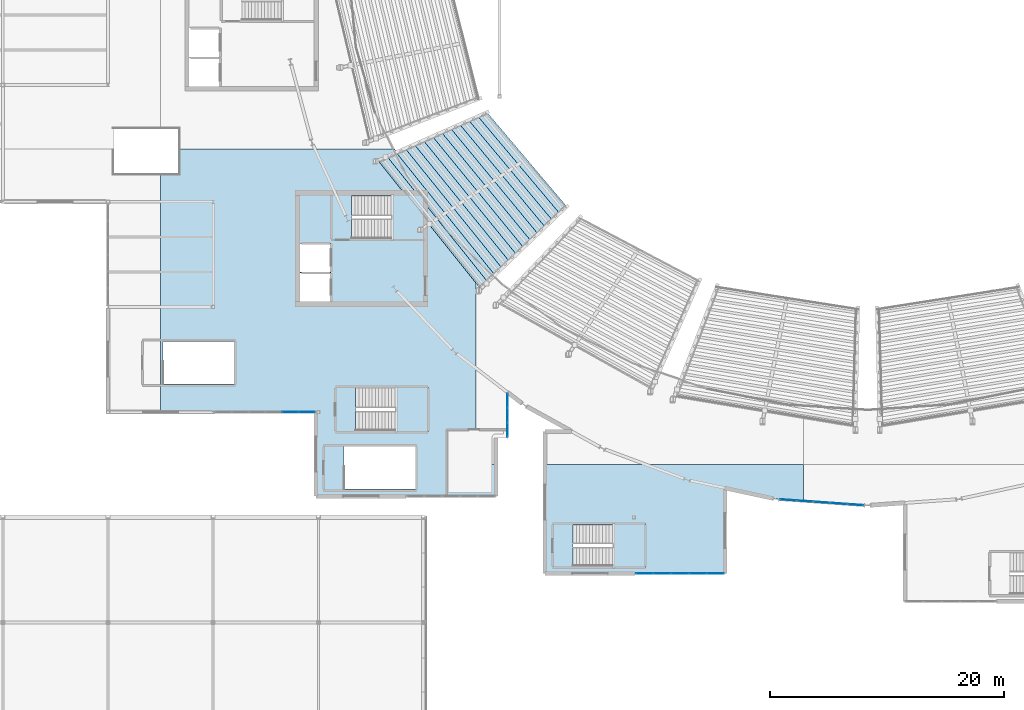
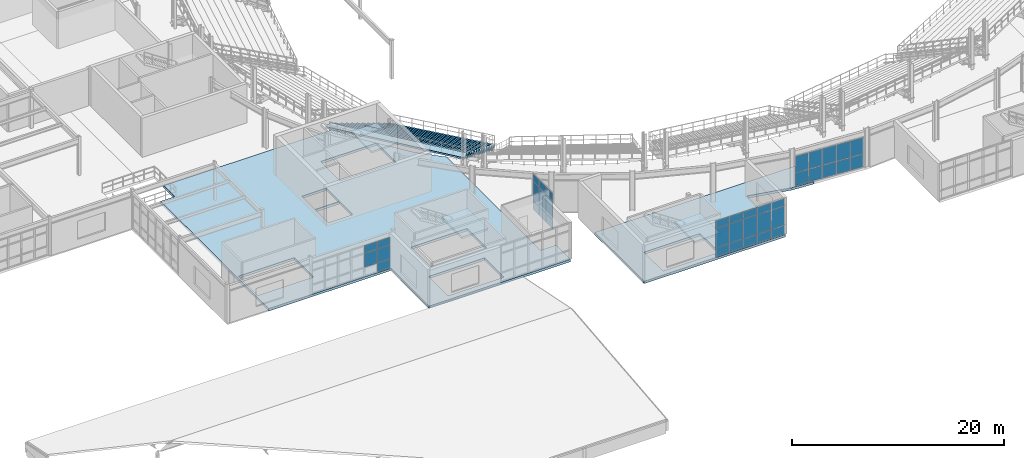
# One storey, part 44 of 81: 39 plates, 17 slabs, 7 elements without a shape of their own.
"""IFC4 building model written with IfcOpenShell, lengths in metres."""

from ifc_helpers import new_model, si_unit, direction, frame, origin, origin_2d, place, context, subcontext, project, spatial, polyline, rectangle, outline, extrude, material, layer, layer_set, type_object, element, aggregate, save


model = new_model("IFC4")

# Units and contexts
model_context = context("Model", 3, precision=1e-05, world=origin(), true_north=direction((0.0, 1.0)))
body_context = subcontext(model_context, "Body", "Model", "MODEL_VIEW")
ifc_project = project(units=[si_unit("LENGTHUNIT", "METRE"), si_unit("AREAUNIT", "SQUARE_METRE"), si_unit("VOLUMEUNIT", "CUBIC_METRE"), si_unit("PLANEANGLEUNIT", "RADIAN"), si_unit("MASSUNIT", "GRAM", prefix="KILO")], contexts=[model_context])

# Site, building, storey
site_placement = place(None, origin())
site = spatial("IfcSite", under=ifc_project, at=site_placement, CompositionType="ELEMENT")
building_placement = place(site_placement, origin())
building = spatial("IfcBuilding", under=site, at=building_placement, Name="Glasvene Arena", CompositionType="ELEMENT")
storey_placement = place(building_placement, frame((0.0, 0.0, 15.0)))
storey = spatial("IfcBuildingStorey", under=building, at=storey_placement, Name="L03", CompositionType="ELEMENT", Elevation=15.0)

# Curtain wall, plates
ifc_material_1 = material(Name="Low-emissivity laminated double glazing", Category="glass")
curtain_wall_type_1 = type_object("IfcCurtainWallType", Name="CW-FAC-L03-723x350", PredefinedType="USERDEFINED", material=ifc_material_1)
curtain_wall_1_placement = place(storey_placement, frame((91.696044921875, 28.021484375, 0.0)))
curtain_wall_1 = element("IfcCurtainWall", 1, at=curtain_wall_1_placement, inside=storey, type_object=curtain_wall_type_1, Name="Unitised curtain wall CW-F-L03-150-881-283-58", ObjectType="CURTAIN WALL", PredefinedType="USERDEFINED")
ifc_layer_1 = layer(ifc_material_1, 0.028076171875)
ifc_layer_set_1 = layer_set([ifc_layer_1], Name="Low-emissivity laminated double glazing")
plate_type = type_object("IfcPlateType", Name="CW-GLZ-28", PredefinedType="CURTAIN_PANEL", material=ifc_layer_set_1)
plate_1_placement = place(storey_placement, frame((90.96240234375, 28.073486328125, 0.10986328125), z_axis=(0.0, 0.0, 1.0), x_axis=(-0.997500992449, 0.070652459706, 0.0)))
plate_1 = element("IfcPlate", 2, at=plate_1_placement, type_object=plate_type, Name="CW-037 panel 1.1", PredefinedType="CURTAIN_PANEL", context=body_context, shape_type="SweptSolid", body=[
    extrude(rectangle(XDim=1.371337890625, YDim=0.028076171875, at=origin_2d()), origin(), (0.0, 0.0, 1.0), 1.468017578125),
])
plate_2_placement = place(storey_placement, frame((90.96240234375, 28.073486328125, 1.6279296875), z_axis=(0.0, 0.0, 1.0), x_axis=(-0.997500992449, 0.070652459706, 0.0)))
plate_2 = element("IfcPlate", 3, at=plate_2_placement, type_object=plate_type, Name="CW-037 panel 1.2", PredefinedType="CURTAIN_PANEL", context=body_context, shape_type="SweptSolid", body=[
    extrude(rectangle(XDim=1.371337890625, YDim=0.028076171875, at=origin_2d()), origin(), (0.0, 0.0, 1.0), 1.884033203125),
])
plate_3_placement = place(storey_placement, frame((89.5322265625, 28.1748046875, 0.10986328125), z_axis=(0.0, 0.0, 1.0), x_axis=(-0.997500992449, 0.070652459706, 0.0)))
plate_3 = element("IfcPlate", 4, at=plate_3_placement, type_object=plate_type, Name="CW-037 panel 2.1", PredefinedType="CURTAIN_PANEL", context=body_context, shape_type="SweptSolid", body=[
    extrude(rectangle(XDim=1.396240234375, YDim=0.028076171875, at=origin_2d()), origin(), (0.0, 0.0, 1.0), 1.468017578125),
])
plate_4_placement = place(storey_placement, frame((89.5322265625, 28.1748046875, 1.6279296875), z_axis=(0.0, 0.0, 1.0), x_axis=(-0.997500992449, 0.070652459706, 0.0)))
plate_4 = element("IfcPlate", 5, at=plate_4_placement, type_object=plate_type, Name="CW-037 panel 2.2", PredefinedType="CURTAIN_PANEL", context=body_context, shape_type="SweptSolid", body=[
    extrude(rectangle(XDim=1.396240234375, YDim=0.028076171875, at=origin_2d()), origin(), (0.0, 0.0, 1.0), 1.884033203125),
])
plate_5_placement = place(storey_placement, frame((88.089599609375, 28.27685546875, 0.10986328125), z_axis=(0.0, 0.0, 1.0), x_axis=(-0.997500992449, 0.070652459706, 0.0)))
plate_5 = element("IfcPlate", 6, at=plate_5_placement, type_object=plate_type, Name="CW-037 panel 3.1", PredefinedType="CURTAIN_PANEL", context=body_context, shape_type="SweptSolid", body=[
    extrude(rectangle(XDim=1.396240234375, YDim=0.028076171875, at=origin_2d()), origin(), (0.0, 0.0, 1.0), 1.468017578125),
])
plate_6_placement = place(storey_placement, frame((88.089599609375, 28.27685546875, 1.6279296875), z_axis=(0.0, 0.0, 1.0), x_axis=(-0.997500992449, 0.070652459706, 0.0)))
plate_6 = element("IfcPlate", 7, at=plate_6_placement, type_object=plate_type, Name="CW-037 panel 3.2", PredefinedType="CURTAIN_PANEL", context=body_context, shape_type="SweptSolid", body=[
    extrude(rectangle(XDim=1.396240234375, YDim=0.028076171875, at=origin_2d()), origin(), (0.0, 0.0, 1.0), 1.884033203125),
])
plate_7_placement = place(storey_placement, frame((86.64697265625, 28.379150390625, 0.10986328125), z_axis=(0.0, 0.0, 1.0), x_axis=(-0.997500992449, 0.070652459706, 0.0)))
plate_7 = element("IfcPlate", 8, at=plate_7_placement, type_object=plate_type, Name="CW-037 panel 4.1", PredefinedType="CURTAIN_PANEL", context=body_context, shape_type="SweptSolid", body=[
    extrude(rectangle(XDim=1.396240234375, YDim=0.028076171875, at=origin_2d()), origin(), (0.0, 0.0, 1.0), 1.468017578125),
])
plate_8_placement = place(storey_placement, frame((86.64697265625, 28.379150390625, 1.6279296875), z_axis=(0.0, 0.0, 1.0), x_axis=(-0.997500992449, 0.070652459706, 0.0)))
plate_8 = element("IfcPlate", 9, at=plate_8_placement, type_object=plate_type, Name="CW-037 panel 4.2", PredefinedType="CURTAIN_PANEL", context=body_context, shape_type="SweptSolid", body=[
    extrude(rectangle(XDim=1.396240234375, YDim=0.028076171875, at=origin_2d()), origin(), (0.0, 0.0, 1.0), 1.884033203125),
])
plate_9_placement = place(storey_placement, frame((85.216796875, 28.48046875, 0.10986328125), z_axis=(0.0, 0.0, 1.0), x_axis=(-0.997500992449, 0.070652459706, 0.0)))
plate_9 = element("IfcPlate", 10, at=plate_9_placement, type_object=plate_type, Name="CW-037 panel 5.1", PredefinedType="CURTAIN_PANEL", context=body_context, shape_type="SweptSolid", body=[
    extrude(rectangle(XDim=1.371337890625, YDim=0.028076171875, at=origin_2d()), origin(), (0.0, 0.0, 1.0), 1.468017578125),
])
plate_10_placement = place(storey_placement, frame((85.216796875, 28.48046875, 1.6279296875), z_axis=(0.0, 0.0, 1.0), x_axis=(-0.997500992449, 0.070652459706, 0.0)))
plate_10 = element("IfcPlate", 11, at=plate_10_placement, type_object=plate_type, Name="CW-037 panel 5.2", PredefinedType="CURTAIN_PANEL", context=body_context, shape_type="SweptSolid", body=[
    extrude(rectangle(XDim=1.371337890625, YDim=0.028076171875, at=origin_2d()), origin(), (0.0, 0.0, 1.0), 1.884033203125),
])
aggregate(curtain_wall_1, [plate_1, plate_2, plate_3, plate_4, plate_5, plate_6, plate_7, plate_8, plate_9, plate_10])

curtain_wall_type_2 = type_object("IfcCurtainWallType", Name="CW-FAC-L03-762x419", PredefinedType="USERDEFINED", material=ifc_material_1)
curtain_wall_2_placement = place(storey_placement, frame((79.760009765625, 22.199951171875, 0.0)))
curtain_wall_2 = element("IfcCurtainWall", 12, at=curtain_wall_2_placement, inside=storey, type_object=curtain_wall_type_2, Name="Unitised curtain wall CW-F-L03-180-759-222-61", ObjectType="CURTAIN WALL", PredefinedType="USERDEFINED")
plate_11_placement = place(storey_placement, frame((78.985595703125, 22.199951171875, 0.10986328125), z_axis=(0.0, 0.0, 1.0), x_axis=(-1.0, 0.0, 0.0)))
plate_11 = element("IfcPlate", 13, at=plate_11_placement, type_object=plate_type, Name="CW-043 panel 1.1", PredefinedType="CURTAIN_PANEL", context=body_context, shape_type="SweptSolid", body=[
    extrude(rectangle(XDim=1.448974609375, YDim=0.028076171875, at=origin_2d()), origin(), (0.0, 0.0, 1.0), 0.965087890625),
])
plate_12_placement = place(storey_placement, frame((78.985595703125, 22.199951171875, 1.125), z_axis=(0.0, 0.0, 1.0), x_axis=(-1.0, 0.0, 0.0)))
plate_12 = element("IfcPlate", 14, at=plate_12_placement, type_object=plate_type, Name="CW-043 panel 1.2", PredefinedType="CURTAIN_PANEL", context=body_context, shape_type="SweptSolid", body=[
    extrude(rectangle(XDim=1.448974609375, YDim=0.028076171875, at=origin_2d()), origin(), (0.0, 0.0, 1.0), 2.199951171875),
])
plate_13_placement = place(storey_placement, frame((78.985595703125, 22.199951171875, 3.375), z_axis=(0.0, 0.0, 1.0), x_axis=(-1.0, 0.0, 0.0)))
plate_13 = element("IfcPlate", 15, at=plate_13_placement, type_object=plate_type, Name="CW-043 panel 1.3", PredefinedType="CURTAIN_PANEL", context=body_context, shape_type="SweptSolid", body=[
    extrude(rectangle(XDim=1.448974609375, YDim=0.028076171875, at=origin_2d()), origin(), (0.0, 0.0, 1.0), 0.824951171875),
])
plate_14_placement = place(storey_placement, frame((77.47412109375, 22.199951171875, 0.10986328125), z_axis=(0.0, 0.0, 1.0), x_axis=(-1.0, 0.0, 0.0)))
plate_14 = element("IfcPlate", 16, at=plate_14_placement, type_object=plate_type, Name="CW-043 panel 2.1", PredefinedType="CURTAIN_PANEL", context=body_context, shape_type="SweptSolid", body=[
    extrude(rectangle(XDim=1.47412109375, YDim=0.028076171875, at=origin_2d()), origin(), (0.0, 0.0, 1.0), 0.965087890625),
])
plate_15_placement = place(storey_placement, frame((77.47412109375, 22.199951171875, 1.125), z_axis=(0.0, 0.0, 1.0), x_axis=(-1.0, 0.0, 0.0)))
plate_15 = element("IfcPlate", 17, at=plate_15_placement, type_object=plate_type, Name="CW-043 panel 2.2", PredefinedType="CURTAIN_PANEL", context=body_context, shape_type="SweptSolid", body=[
    extrude(rectangle(XDim=1.47412109375, YDim=0.028076171875, at=origin_2d()), origin(), (0.0, 0.0, 1.0), 2.199951171875),
])
plate_16_placement = place(storey_placement, frame((77.47412109375, 22.199951171875, 3.375), z_axis=(0.0, 0.0, 1.0), x_axis=(-1.0, 0.0, 0.0)))
plate_16 = element("IfcPlate", 18, at=plate_16_placement, type_object=plate_type, Name="CW-043 panel 2.3", PredefinedType="CURTAIN_PANEL", context=body_context, shape_type="SweptSolid", body=[
    extrude(rectangle(XDim=1.47412109375, YDim=0.028076171875, at=origin_2d()), origin(), (0.0, 0.0, 1.0), 0.824951171875),
])
plate_17_placement = place(storey_placement, frame((75.949951171875, 22.199951171875, 0.10986328125), z_axis=(0.0, 0.0, 1.0), x_axis=(-1.0, 0.0, 0.0)))
plate_17 = element("IfcPlate", 19, at=plate_17_placement, type_object=plate_type, Name="CW-043 panel 3.1", PredefinedType="CURTAIN_PANEL", context=body_context, shape_type="SweptSolid", body=[
    extrude(rectangle(XDim=1.47412109375, YDim=0.028076171875, at=origin_2d()), origin(), (0.0, 0.0, 1.0), 0.965087890625),
])
plate_18_placement = place(storey_placement, frame((75.949951171875, 22.199951171875, 1.125), z_axis=(0.0, 0.0, 1.0), x_axis=(-1.0, 0.0, 0.0)))
plate_18 = element("IfcPlate", 20, at=plate_18_placement, type_object=plate_type, Name="CW-043 panel 3.2", PredefinedType="CURTAIN_PANEL", context=body_context, shape_type="SweptSolid", body=[
    extrude(rectangle(XDim=1.47412109375, YDim=0.028076171875, at=origin_2d()), origin(), (0.0, 0.0, 1.0), 2.199951171875),
])
plate_19_placement = place(storey_placement, frame((75.949951171875, 22.199951171875, 3.375), z_axis=(0.0, 0.0, 1.0), x_axis=(-1.0, 0.0, 0.0)))
plate_19 = element("IfcPlate", 21, at=plate_19_placement, type_object=plate_type, Name="CW-043 panel 3.3", PredefinedType="CURTAIN_PANEL", context=body_context, shape_type="SweptSolid", body=[
    extrude(rectangle(XDim=1.47412109375, YDim=0.028076171875, at=origin_2d()), origin(), (0.0, 0.0, 1.0), 0.824951171875),
])
plate_20_placement = place(storey_placement, frame((74.426025390625, 22.199951171875, 0.10986328125), z_axis=(0.0, 0.0, 1.0), x_axis=(-1.0, 0.0, 0.0)))
plate_20 = element("IfcPlate", 22, at=plate_20_placement, type_object=plate_type, Name="CW-043 panel 4.1", PredefinedType="CURTAIN_PANEL", context=body_context, shape_type="SweptSolid", body=[
    extrude(rectangle(XDim=1.47412109375, YDim=0.028076171875, at=origin_2d()), origin(), (0.0, 0.0, 1.0), 0.965087890625),
])
plate_21_placement = place(storey_placement, frame((74.426025390625, 22.199951171875, 1.125), z_axis=(0.0, 0.0, 1.0), x_axis=(-1.0, 0.0, 0.0)))
plate_21 = element("IfcPlate", 23, at=plate_21_placement, type_object=plate_type, Name="CW-043 panel 4.2", PredefinedType="CURTAIN_PANEL", context=body_context, shape_type="SweptSolid", body=[
    extrude(rectangle(XDim=1.47412109375, YDim=0.028076171875, at=origin_2d()), origin(), (0.0, 0.0, 1.0), 2.199951171875),
])
plate_22_placement = place(storey_placement, frame((74.426025390625, 22.199951171875, 3.375), z_axis=(0.0, 0.0, 1.0), x_axis=(-1.0, 0.0, 0.0)))
plate_22 = element("IfcPlate", 24, at=plate_22_placement, type_object=plate_type, Name="CW-043 panel 4.3", PredefinedType="CURTAIN_PANEL", context=body_context, shape_type="SweptSolid", body=[
    extrude(rectangle(XDim=1.47412109375, YDim=0.028076171875, at=origin_2d()), origin(), (0.0, 0.0, 1.0), 0.824951171875),
])
plate_23_placement = place(storey_placement, frame((72.91455078125, 22.199951171875, 0.10986328125), z_axis=(0.0, 0.0, 1.0), x_axis=(-1.0, 0.0, 0.0)))
plate_23 = element("IfcPlate", 25, at=plate_23_placement, type_object=plate_type, Name="CW-043 panel 5.1", PredefinedType="CURTAIN_PANEL", context=body_context, shape_type="SweptSolid", body=[
    extrude(rectangle(XDim=1.448974609375, YDim=0.028076171875, at=origin_2d()), origin(), (0.0, 0.0, 1.0), 0.965087890625),
])
plate_24_placement = place(storey_placement, frame((72.91455078125, 22.199951171875, 1.125), z_axis=(0.0, 0.0, 1.0), x_axis=(-1.0, 0.0, 0.0)))
plate_24 = element("IfcPlate", 26, at=plate_24_placement, type_object=plate_type, Name="CW-043 panel 5.2", PredefinedType="CURTAIN_PANEL", context=body_context, shape_type="SweptSolid", body=[
    extrude(rectangle(XDim=1.448974609375, YDim=0.028076171875, at=origin_2d()), origin(), (0.0, 0.0, 1.0), 2.199951171875),
])
plate_25_placement = place(storey_placement, frame((72.91455078125, 22.199951171875, 3.375), z_axis=(0.0, 0.0, 1.0), x_axis=(-1.0, 0.0, 0.0)))
plate_25 = element("IfcPlate", 27, at=plate_25_placement, type_object=plate_type, Name="CW-043 panel 5.3", PredefinedType="CURTAIN_PANEL", context=body_context, shape_type="SweptSolid", body=[
    extrude(rectangle(XDim=1.448974609375, YDim=0.028076171875, at=origin_2d()), origin(), (0.0, 0.0, 1.0), 0.824951171875),
])
aggregate(curtain_wall_2, [plate_11, plate_12, plate_13, plate_14, plate_15, plate_16, plate_17, plate_18, plate_19, plate_20, plate_21, plate_22, plate_23, plate_24, plate_25])

curtain_wall_type_3 = type_object("IfcCurtainWallType", Name="CW-FAC-L03-380x419", PredefinedType="USERDEFINED", material=ifc_material_1)
curtain_wall_3_placement = place(storey_placement, frame((61.199951171875, 37.638671875, 0.0)))
curtain_wall_3 = element("IfcCurtainWall", 28, at=curtain_wall_3_placement, inside=storey, type_object=curtain_wall_type_3, Name="Unitised curtain wall CW-F-L03-180-612-357-67", ObjectType="CURTAIN WALL", PredefinedType="USERDEFINED")
plate_26_placement = place(storey_placement, frame((61.199951171875, 36.992919921875, 0.10986328125), z_axis=(0.0, 0.0, 1.0), x_axis=(0.0, -1.0, 0.0)))
plate_26 = element("IfcPlate", 29, at=plate_26_placement, type_object=plate_type, Name="CW-044 panel 1.1", PredefinedType="CURTAIN_PANEL", context=body_context, shape_type="SweptSolid", body=[
    extrude(rectangle(XDim=1.191162109375, YDim=0.028076171875, at=origin_2d()), origin(), (0.0, 0.0, 1.0), 0.965087890625),
])
plate_27_placement = place(storey_placement, frame((61.199951171875, 36.992919921875, 1.125), z_axis=(0.0, 0.0, 1.0), x_axis=(0.0, -1.0, 0.0)))
plate_27 = element("IfcPlate", 30, at=plate_27_placement, type_object=plate_type, Name="CW-044 panel 1.2", PredefinedType="CURTAIN_PANEL", context=body_context, shape_type="SweptSolid", body=[
    extrude(rectangle(XDim=1.191162109375, YDim=0.028076171875, at=origin_2d()), origin(), (0.0, 0.0, 1.0), 2.199951171875),
])
plate_28_placement = place(storey_placement, frame((61.199951171875, 36.992919921875, 3.375), z_axis=(0.0, 0.0, 1.0), x_axis=(0.0, -1.0, 0.0)))
plate_28 = element("IfcPlate", 31, at=plate_28_placement, type_object=plate_type, Name="CW-044 panel 1.3", PredefinedType="CURTAIN_PANEL", context=body_context, shape_type="SweptSolid", body=[
    extrude(rectangle(XDim=1.191162109375, YDim=0.028076171875, at=origin_2d()), origin(), (0.0, 0.0, 1.0), 0.824951171875),
])
plate_29_placement = place(storey_placement, frame((61.199951171875, 35.7392578125, 0.10986328125), z_axis=(0.0, 0.0, 1.0), x_axis=(0.0, -1.0, 0.0)))
plate_29 = element("IfcPlate", 32, at=plate_29_placement, type_object=plate_type, Name="CW-044 panel 2.1", PredefinedType="CURTAIN_PANEL", context=body_context, shape_type="SweptSolid", body=[
    extrude(rectangle(XDim=1.21630859375, YDim=0.028076171875, at=origin_2d()), origin(), (0.0, 0.0, 1.0), 0.965087890625),
])
plate_30_placement = place(storey_placement, frame((61.199951171875, 35.7392578125, 1.125), z_axis=(0.0, 0.0, 1.0), x_axis=(0.0, -1.0, 0.0)))
plate_30 = element("IfcPlate", 33, at=plate_30_placement, type_object=plate_type, Name="CW-044 panel 2.2", PredefinedType="CURTAIN_PANEL", context=body_context, shape_type="SweptSolid", body=[
    extrude(rectangle(XDim=1.21630859375, YDim=0.028076171875, at=origin_2d()), origin(), (0.0, 0.0, 1.0), 2.199951171875),
])
plate_31_placement = place(storey_placement, frame((61.199951171875, 35.7392578125, 3.375), z_axis=(0.0, 0.0, 1.0), x_axis=(0.0, -1.0, 0.0)))
plate_31 = element("IfcPlate", 34, at=plate_31_placement, type_object=plate_type, Name="CW-044 panel 2.3", PredefinedType="CURTAIN_PANEL", context=body_context, shape_type="SweptSolid", body=[
    extrude(rectangle(XDim=1.21630859375, YDim=0.028076171875, at=origin_2d()), origin(), (0.0, 0.0, 1.0), 0.824951171875),
])
plate_32_placement = place(storey_placement, frame((61.199951171875, 34.485595703125, 0.10986328125), z_axis=(0.0, 0.0, 1.0), x_axis=(0.0, -1.0, 0.0)))
plate_32 = element("IfcPlate", 35, at=plate_32_placement, type_object=plate_type, Name="CW-044 panel 3.1", PredefinedType="CURTAIN_PANEL", context=body_context, shape_type="SweptSolid", body=[
    extrude(rectangle(XDim=1.191162109375, YDim=0.028076171875, at=origin_2d()), origin(), (0.0, 0.0, 1.0), 0.965087890625),
])
plate_33_placement = place(storey_placement, frame((61.199951171875, 34.485595703125, 1.125), z_axis=(0.0, 0.0, 1.0), x_axis=(0.0, -1.0, 0.0)))
plate_33 = element("IfcPlate", 36, at=plate_33_placement, type_object=plate_type, Name="CW-044 panel 3.2", PredefinedType="CURTAIN_PANEL", context=body_context, shape_type="SweptSolid", body=[
    extrude(rectangle(XDim=1.191162109375, YDim=0.028076171875, at=origin_2d()), origin(), (0.0, 0.0, 1.0), 2.199951171875),
])
plate_34_placement = place(storey_placement, frame((61.199951171875, 34.485595703125, 3.375), z_axis=(0.0, 0.0, 1.0), x_axis=(0.0, -1.0, 0.0)))
plate_34 = element("IfcPlate", 37, at=plate_34_placement, type_object=plate_type, Name="CW-044 panel 3.3", PredefinedType="CURTAIN_PANEL", context=body_context, shape_type="SweptSolid", body=[
    extrude(rectangle(XDim=1.191162109375, YDim=0.028076171875, at=origin_2d()), origin(), (0.0, 0.0, 1.0), 0.824951171875),
])
aggregate(curtain_wall_3, [plate_26, plate_27, plate_28, plate_29, plate_30, plate_31, plate_32, plate_33, plate_34])

curtain_wall_type_4 = type_object("IfcCurtainWallType", Name="CW-FAC-L03-859x358", PredefinedType="USERDEFINED", material=ifc_material_1)
curtain_wall_4_placement = place(storey_placement, frame((44.760009765625, 36.0, 0.0)))
curtain_wall_4 = element("IfcCurtainWall", 38, at=curtain_wall_4_placement, inside=storey, type_object=curtain_wall_type_4, Name="Unitised curtain wall CW-F-L03-150-405-360-73", ObjectType="CURTAIN WALL", PredefinedType="USERDEFINED")
plate_35_placement = place(storey_placement, frame((44.03173828125, 36.0, 0.10986328125), z_axis=(0.0, 0.0, 1.0), x_axis=(-1.0, 0.0, 0.0)))
plate_35 = element("IfcPlate", 39, at=plate_35_placement, type_object=plate_type, Name="CW-045 panel 1.1", PredefinedType="CURTAIN_PANEL", context=body_context, shape_type="SweptSolid", body=[
    extrude(rectangle(XDim=1.356689453125, YDim=0.028076171875, at=origin_2d()), origin(), (0.0, 0.0, 1.0), 0.965087890625),
])
plate_36_placement = place(storey_placement, frame((44.03173828125, 36.0, 1.125), z_axis=(0.0, 0.0, 1.0), x_axis=(-1.0, 0.0, 0.0)))
plate_36 = element("IfcPlate", 40, at=plate_36_placement, type_object=plate_type, Name="CW-045 panel 1.2", PredefinedType="CURTAIN_PANEL", context=body_context, shape_type="SweptSolid", body=[
    extrude(rectangle(XDim=1.356689453125, YDim=0.028076171875, at=origin_2d()), origin(), (0.0, 0.0, 1.0), 1.5869140625),
])
plate_37_placement = place(storey_placement, frame((44.03173828125, 36.0, 2.76220703125), z_axis=(0.0, 0.0, 1.0), x_axis=(-1.0, 0.0, 0.0)))
plate_37 = element("IfcPlate", 41, at=plate_37_placement, type_object=plate_type, Name="CW-045 panel 1.3", PredefinedType="CURTAIN_PANEL", context=body_context, shape_type="SweptSolid", body=[
    extrude(rectangle(XDim=1.356689453125, YDim=0.028076171875, at=origin_2d()), origin(), (0.0, 0.0, 1.0), 0.824951171875),
])
plate_38_placement = place(storey_placement, frame((42.612548828125, 36.0, 1.125), z_axis=(0.0, 0.0, 1.0), x_axis=(-1.0, 0.0, 0.0)))
plate_38 = element("IfcPlate", 42, at=plate_38_placement, type_object=plate_type, Name="CW-045 panel 2.2", PredefinedType="CURTAIN_PANEL", context=body_context, shape_type="SweptSolid", body=[
    extrude(rectangle(XDim=1.381591796875, YDim=0.028076171875, at=origin_2d()), origin(), (0.0, 0.0, 1.0), 1.5869140625),
])
plate_39_placement = place(storey_placement, frame((42.612548828125, 36.0, 2.76220703125), z_axis=(0.0, 0.0, 1.0), x_axis=(-1.0, 0.0, 0.0)))
plate_39 = element("IfcPlate", 43, at=plate_39_placement, type_object=plate_type, Name="CW-045 panel 2.3", PredefinedType="CURTAIN_PANEL", context=body_context, shape_type="SweptSolid", body=[
    extrude(rectangle(XDim=1.381591796875, YDim=0.028076171875, at=origin_2d()), origin(), (0.0, 0.0, 1.0), 0.824951171875),
])
aggregate(curtain_wall_4, [plate_35, plate_36, plate_37, plate_38, plate_39])

# Slabs
ifc_material_2 = material(Name="Concrete C40/50", Category="concrete")
ifc_layer_2 = layer(ifc_material_2, 0.280029296875)
ifc_layer_set_2 = layer_set([ifc_layer_2], Name="Concrete C40/50")
slab_type_1 = type_object("IfcSlabType", Name="SL-CONC-280", PredefinedType="FLOOR", material=ifc_layer_set_2)
slab_1_placement = place(storey_placement, frame((77.939697265625, 27.69189453125, -0.280029296875)))
element("IfcSlab", 44, at=slab_1_placement, inside=storey, type_object=slab_type_1, Name="Structural floor slab L03 sector 1-3 (84)", PredefinedType="FLOOR", context=body_context, shape_type="SweptSolid", body=[
    extrude(outline(polyline([(1.8603515625, 1.80810546875), (1.8603515625, -5.491943359375), (-13.539794921875, -5.491943359375), (-13.539794921875, 3.80810546875), (8.560302734375, 3.80810546875), (8.560302734375, 0.69775390625), (6.238525390625, 0.862060546875), (1.8603515625, 1.80810546875)]), holes=[polyline([(-5.039794921875, -4.891845703125), (-5.039794921875, -1.341796875), (-11.1376953125, -1.341796875), (-11.1376953125, -4.891845703125), (-5.039794921875, -4.891845703125)])]), origin(), (0.0, 0.0, 1.0), 0.280029296875),
])
slab_2_placement = place(storey_placement, frame((47.42138671875, 44.569091796875, -0.280029296875)))
element("IfcSlab", 45, at=slab_2_placement, inside=storey, type_object=slab_type_1, Name="Structural floor slab L03 sector 2-2 (87)", PredefinedType="FLOOR", context=body_context, shape_type="SweptSolid", body=[
    extrude(outline(polyline([(-2.621337890625, -15.76904296875), (-2.621337890625, -8.569091796875), (-15.92138671875, -8.569091796875), (-15.92138671875, 11.830810546875), (-14.38134765625, 11.830810546875), (-14.38134765625, 13.930908203125), (4.117919921875, 13.930908203125), (5.196044921875, 11.769287109375), (8.820068359375, 6.859130859375), (11.07861328125, 4.66357421875), (11.07861328125, -13.069091796875), (12.778564453125, -13.069091796875), (12.778564453125, -15.76904296875), (-2.621337890625, -15.76904296875)]), holes=[polyline([(5.878662109375, -11.51904296875), (-0.219482421875, -11.51904296875), (-0.219482421875, -15.169189453125), (5.878662109375, -15.169189453125), (5.878662109375, -11.51904296875)]), polyline([(-9.621337890625, -6.169189453125), (-9.621337890625, -2.51904296875), (-15.719482421875, -2.51904296875), (-15.719482421875, -6.169189453125), (-9.621337890625, -6.169189453125)]), polyline([(-1.3212890625, 0.880859375), (-1.3212890625, 3.330810546875), (-3.971435546875, 3.330810546875), (-3.971435546875, 0.880859375), (-1.3212890625, 0.880859375)]), polyline([(-1.3212890625, 3.430908203125), (-1.3212890625, 5.880859375), (-3.971435546875, 5.880859375), (-3.971435546875, 3.430908203125), (-1.3212890625, 3.430908203125)]), polyline([(6.878662109375, -10.169189453125), (6.878662109375, -6.51904296875), (0.780517578125, -6.51904296875), (0.780517578125, -10.169189453125), (6.878662109375, -10.169189453125)]), polyline([(6.528564453125, 6.281005859375), (6.528564453125, 9.930908203125), (0.4306640625, 9.930908203125), (0.4306640625, 6.281005859375), (6.528564453125, 6.281005859375)])]), origin(), (0.0, 0.0, 1.0), 0.280029296875),
])

# Stair, slab
stair_type_1 = type_object("IfcStairType", Name="ST-HT-450-170", PredefinedType="HALF_TURN_STAIR", material=ifc_material_2)
stair_1_placement = place(storey_placement, origin())
stair_1 = element("IfcStair", 46, at=stair_1_placement, inside=storey, type_object=stair_type_1, Name="Protected escape stair ST-03 (L03 to L04)", PredefinedType="HALF_TURN_STAIR")
ifc_layer_3 = layer(ifc_material_2, 0.219970703125)
ifc_layer_set_3 = layer_set([ifc_layer_3], Name="Concrete C40/50")
slab_type_2 = type_object("IfcSlabType", Name="SL-LAND-220", PredefinedType="LANDING", material=ifc_layer_set_3)
slab_3_placement = place(storey_placement, frame((52.6298828125, 52.675048828125, 2.030029296875)))
slab_3 = element("IfcSlab", 47, at=slab_3_placement, type_object=slab_type_2, Name="Protected escape stair ST-03 (L03 to L04) landing 1", PredefinedType="LANDING", context=body_context, shape_type="SweptSolid", body=[
    extrude(outline(polyline([(-1.419921875, -1.925048828125), (1.420166015625, -1.925048828125), (1.420166015625, 1.925048828125), (-1.419921875, 1.925048828125), (-1.419921875, -1.925048828125)])), origin(), (0.0, 0.0, 1.0), 0.219970703125),
])
aggregate(stair_1, [slab_3])

stair_2_placement = place(storey_placement, origin())
stair_2 = element("IfcStair", 48, at=stair_2_placement, inside=storey, type_object=stair_type_1, Name="Protected escape stair ST-05 (L03 to L04)", PredefinedType="HALF_TURN_STAIR")
slab_4_placement = place(storey_placement, frame((52.97998046875, 36.22509765625, 2.030029296875)))
slab_4 = element("IfcSlab", 49, at=slab_4_placement, type_object=slab_type_2, Name="Protected escape stair ST-05 (L03 to L04) landing 1", PredefinedType="LANDING", context=body_context, shape_type="SweptSolid", body=[
    extrude(outline(polyline([(-1.419921875, -1.925048828125), (1.419921875, -1.925048828125), (1.419921875, 1.9248046875), (-1.419921875, 1.9248046875), (-1.419921875, -1.925048828125)])), origin(), (0.0, 0.0, 1.0), 0.219970703125),
])
aggregate(stair_2, [slab_4])

stair_type_2 = type_object("IfcStairType", Name="ST-HT-450-165", PredefinedType="HALF_TURN_STAIR", material=ifc_material_2)
stair_3_placement = place(storey_placement, origin())
stair_3 = element("IfcStair", 50, at=stair_3_placement, inside=storey, type_object=stair_type_2, Name="Protected escape stair ST-08 (L03 to L04)", PredefinedType="HALF_TURN_STAIR")
slab_5_placement = place(storey_placement, frame((71.580078125, 24.574951171875, 2.030029296875)))
slab_5 = element("IfcSlab", 51, at=slab_5_placement, type_object=slab_type_2, Name="Protected escape stair ST-08 (L03 to L04) landing 1", PredefinedType="LANDING", context=body_context, shape_type="SweptSolid", body=[
    extrude(outline(polyline([(-1.420166015625, -1.875), (1.419921875, -1.875), (1.419921875, 1.875), (-1.420166015625, 1.875), (-1.420166015625, -1.875)])), origin(), (0.0, 0.0, 1.0), 0.219970703125),
])
aggregate(stair_3, [slab_5])

# Slabs
ifc_material_3 = material(Name="Precast concrete C50/60", Category="concrete")
ifc_layer_4 = layer(ifc_material_3, 0.199951171875)
ifc_layer_set_4 = layer_set([ifc_layer_4], Name="Precast concrete C50/60")
slab_type_3 = type_object("IfcSlabType", Name="SL-TIER-UP", PredefinedType="USERDEFINED", material=ifc_layer_set_4)
slab_6_placement = place(storey_placement, frame((62.496826171875, 57.390869140625, -4.10009765625)))
element("IfcSlab", 52, at=slab_6_placement, inside=storey, type_object=slab_type_3, Name="Stand upper tier sector 10 row 01", ObjectType="SEATING TIER", PredefinedType="USERDEFINED", context=body_context, shape_type="SweptSolid", body=[
    extrude(outline(polyline([(-3.0693359375, 4.26953125), (3.765625, -3.8046875), (3.15087890625, -4.391845703125), (-3.84716796875, 3.926513671875), (-3.0693359375, 4.26953125)])), origin(), (0.0, 0.0, 1.0), 0.2001953125),
])
slab_7_placement = place(storey_placement, frame((61.80078125, 56.925537109375, -3.6201171875)))
element("IfcSlab", 53, at=slab_7_placement, inside=storey, type_object=slab_type_3, Name="Stand upper tier sector 10 row 02", ObjectType="SEATING TIER", PredefinedType="USERDEFINED", context=body_context, shape_type="SweptSolid", body=[
    extrude(outline(polyline([(-3.151123046875, 4.391845703125), (3.846923828125, -3.926513671875), (3.232421875, -4.513916015625), (-3.9287109375, 4.048828125), (-3.151123046875, 4.391845703125)])), origin(), (0.0, 0.0, 1.0), 0.2001953125),
])
slab_8_placement = place(storey_placement, frame((61.1044921875, 56.46044921875, -3.139892578125)))
element("IfcSlab", 54, at=slab_8_placement, inside=storey, type_object=slab_type_3, Name="Stand upper tier sector 10 row 03", ObjectType="SEATING TIER", PredefinedType="USERDEFINED", context=body_context, shape_type="SweptSolid", body=[
    extrude(outline(polyline([(-3.232421875, 4.513916015625), (3.9287109375, -4.048828125), (3.314208984375, -4.635986328125), (-4.01025390625, 4.1708984375), (-3.232421875, 4.513916015625)])), origin(), (0.0, 0.0, 1.0), 0.199951171875),
])
slab_9_placement = place(storey_placement, frame((60.408447265625, 55.995361328125, -2.659912109375)))
element("IfcSlab", 55, at=slab_9_placement, inside=storey, type_object=slab_type_3, Name="Stand upper tier sector 10 row 04", ObjectType="SEATING TIER", PredefinedType="USERDEFINED", context=body_context, shape_type="SweptSolid", body=[
    extrude(outline(polyline([(-3.314208984375, 4.635986328125), (4.01025390625, -4.1708984375), (3.395751953125, -4.758056640625), (-4.091796875, 4.29296875), (-3.314208984375, 4.635986328125)])), origin(), (0.0, 0.0, 1.0), 0.199951171875),
])
slab_10_placement = place(storey_placement, frame((59.71240234375, 55.5302734375, -2.179931640625)))
element("IfcSlab", 56, at=slab_10_placement, inside=storey, type_object=slab_type_3, Name="Stand upper tier sector 10 row 05", ObjectType="SEATING TIER", PredefinedType="USERDEFINED", context=body_context, shape_type="SweptSolid", body=[
    extrude(outline(polyline([(-3.395751953125, 4.758056640625), (4.091796875, -4.29296875), (3.477294921875, -4.88037109375), (-4.173583984375, 4.4150390625), (-3.395751953125, 4.758056640625)])), origin(), (0.0, 0.0, 1.0), 0.199951171875),
])
slab_11_placement = place(storey_placement, frame((59.016357421875, 55.065185546875, -1.699951171875)))
element("IfcSlab", 57, at=slab_11_placement, inside=storey, type_object=slab_type_3, Name="Stand upper tier sector 10 row 06", ObjectType="SEATING TIER", PredefinedType="USERDEFINED", context=body_context, shape_type="SweptSolid", body=[
    extrude(outline(polyline([(-3.4775390625, 4.880126953125), (4.17333984375, -4.415283203125), (3.558837890625, -5.00244140625), (-4.25537109375, 4.537109375), (-3.4775390625, 4.880126953125)])), origin(), (0.0, 0.0, 1.0), 0.199951171875),
])
slab_12_placement = place(storey_placement, frame((58.320068359375, 54.599853515625, -1.219970703125)))
element("IfcSlab", 58, at=slab_12_placement, inside=storey, type_object=slab_type_3, Name="Stand upper tier sector 10 row 07", ObjectType="SEATING TIER", PredefinedType="USERDEFINED", context=body_context, shape_type="SweptSolid", body=[
    extrude(outline(polyline([(-3.55908203125, 5.00244140625), (4.255126953125, -4.537109375), (3.640625, -5.124267578125), (-4.336669921875, 4.659423828125), (-3.55908203125, 5.00244140625)])), origin(), (0.0, 0.0, 1.0), 0.199951171875),
])
slab_13_placement = place(storey_placement, frame((57.6240234375, 54.134765625, -0.739990234375)))
element("IfcSlab", 59, at=slab_13_placement, inside=storey, type_object=slab_type_3, Name="Stand upper tier sector 10 row 08", ObjectType="SEATING TIER", PredefinedType="USERDEFINED", context=body_context, shape_type="SweptSolid", body=[
    extrude(outline(polyline([(-3.640625, 5.12451171875), (4.336669921875, -4.6591796875), (3.72216796875, -5.24658203125), (-4.418212890625, 4.781494140625), (-3.640625, 5.12451171875)])), origin(), (0.0, 0.0, 1.0), 0.199951171875),
])
slab_14_placement = place(storey_placement, frame((56.927978515625, 53.669677734375, -0.260009765625)))
element("IfcSlab", 60, at=slab_14_placement, inside=storey, type_object=slab_type_3, Name="Stand upper tier sector 10 row 09", ObjectType="SEATING TIER", PredefinedType="USERDEFINED", context=body_context, shape_type="SweptSolid", body=[
    extrude(outline(polyline([(-3.72216796875, 5.24658203125), (4.418212890625, -4.781494140625), (3.8037109375, -5.36865234375), (-4.5, 4.903564453125), (-3.72216796875, 5.24658203125)])), origin(), (0.0, 0.0, 1.0), 0.199951171875),
])
slab_15_placement = place(storey_placement, frame((56.231689453125, 53.20458984375, 0.219970703125)))
element("IfcSlab", 61, at=slab_15_placement, inside=storey, type_object=slab_type_3, Name="Stand upper tier sector 10 row 10", ObjectType="SEATING TIER", PredefinedType="USERDEFINED", context=body_context, shape_type="SweptSolid", body=[
    extrude(outline(polyline([(-3.8037109375, 5.36865234375), (4.5, -4.903564453125), (3.885498046875, -5.490966796875), (-4.581298828125, 5.025634765625), (-3.8037109375, 5.36865234375)])), origin(), (0.0, 0.0, 1.0), 0.199951171875),
])
slab_16_placement = place(storey_placement, frame((55.53564453125, 52.739501953125, 0.699951171875)))
element("IfcSlab", 62, at=slab_16_placement, inside=storey, type_object=slab_type_3, Name="Stand upper tier sector 10 row 11", ObjectType="SEATING TIER", PredefinedType="USERDEFINED", context=body_context, shape_type="SweptSolid", body=[
    extrude(outline(polyline([(-3.88525390625, 5.49072265625), (4.58154296875, -5.02587890625), (3.967041015625, -5.613037109375), (-4.6630859375, 5.147705078125), (-3.88525390625, 5.49072265625)])), origin(), (0.0, 0.0, 1.0), 0.199951171875),
])
slab_17_placement = place(storey_placement, frame((54.839599609375, 52.274169921875, 1.179931640625)))
element("IfcSlab", 63, at=slab_17_placement, inside=storey, type_object=slab_type_3, Name="Stand upper tier sector 10 row 12", ObjectType="SEATING TIER", PredefinedType="USERDEFINED", context=body_context, shape_type="SweptSolid", body=[
    extrude(outline(polyline([(-3.967041015625, 5.613037109375), (4.6630859375, -5.147705078125), (4.048583984375, -5.73486328125), (-4.744873046875, 5.27001953125), (-3.967041015625, 5.613037109375)])), origin(), (0.0, 0.0, 1.0), 0.199951171875),
])

save(model, "model.ifc")
